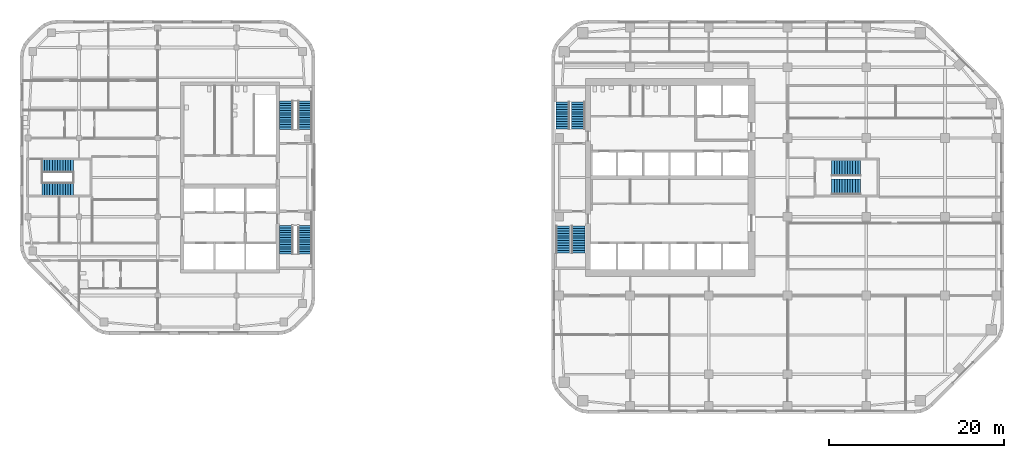
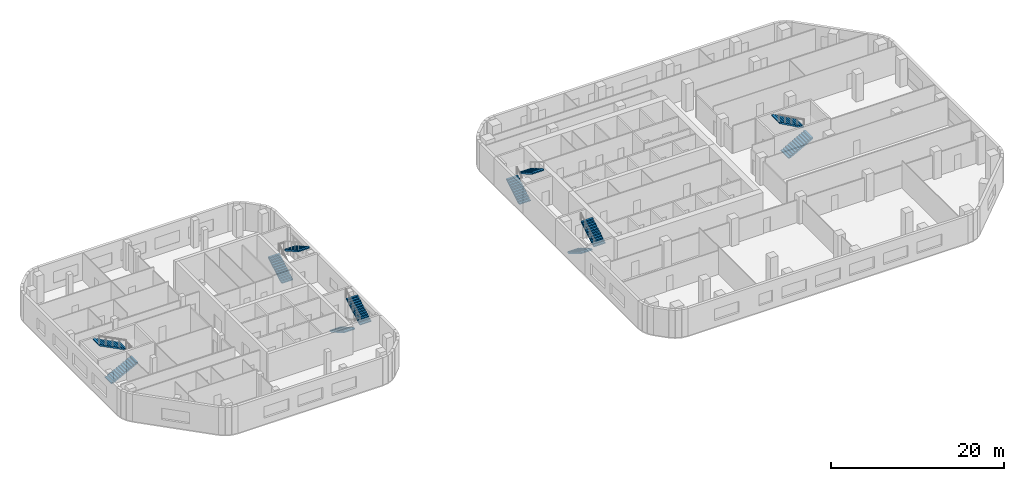
# One storey, part 11 of 14: 12 stair flights, 6 elements without a shape of their own.
"""IFC4 building model written with IfcOpenShell, lengths in metres."""

from ifc_helpers import new_model, si_unit, direction, frame, origin, place, context, subcontext, project, spatial, polyline, outline, extrude, material, type_object, element, aggregate, save


model = new_model("IFC4")

# Units and contexts
model_context = context("Model", 3, precision=1e-05, world=origin(), true_north=direction((0.0, 1.0)))
body_context = subcontext(model_context, "Body", "Model", "MODEL_VIEW")
ifc_project = project(units=[si_unit("LENGTHUNIT", "METRE"), si_unit("AREAUNIT", "SQUARE_METRE"), si_unit("VOLUMEUNIT", "CUBIC_METRE"), si_unit("PLANEANGLEUNIT", "RADIAN"), si_unit("MASSUNIT", "GRAM", prefix="KILO")], contexts=[model_context])

# Site, building, storey
site_placement = place(None, origin())
site = spatial("IfcSite", under=ifc_project, at=site_placement, CompositionType="ELEMENT")
building_placement = place(site_placement, origin())
building = spatial("IfcBuilding", under=site, at=building_placement, Name="Cinnabar Reach Civic Tower", CompositionType="ELEMENT")
storey_placement = place(building_placement, frame((0.0, 0.0, 108.0)))
storey = spatial("IfcBuildingStorey", under=building, at=storey_placement, Name="L25", CompositionType="ELEMENT", Elevation=108.0)

# Stair, stair flights
ifc_material_1 = material(Name="Concrete C40/50", Category="concrete")
stair_type_1 = type_object("IfcStairType", Name="T1 Exit stair, half-turn", PredefinedType="HALF_TURN_STAIR", material=ifc_material_1)
stair_1_placement = place(storey_placement, origin())
stair_1 = element("IfcStair", 1, at=stair_1_placement, inside=storey, type_object=stair_type_1, Name="Stair T1-S1", PredefinedType="HALF_TURN_STAIR")
stair_flight_type_1 = type_object("IfcStairFlightType", Name="T1 Stair flight, concrete", PredefinedType="STRAIGHT", material=ifc_material_1)
stair_flight_1_placement = place(storey_placement, frame((1.3125, 25.95, 0.0), z_axis=(0.0, 0.0, 1.0), x_axis=(0.0, -1.0, 0.0)))
stair_flight_1 = element("IfcStairFlight", 2, at=stair_flight_1_placement, type_object=stair_flight_type_1, Name="T1-S1 flight 1", NumberOfRisers=12, NumberOfTreads=11, PredefinedType="STRAIGHT", RiserHeight=0.166666667, TreadLength=0.28, context=body_context, shape_type="SweptSolid", body=[
    extrude(outline(polyline([(0.0, 0.0), (0.0, 0.1667), (0.28, 0.1667), (0.28, 0.3333), (0.56, 0.3333), (0.56, 0.5), (0.84, 0.5), (0.84, 0.6667), (1.12, 0.6667), (1.12, 0.8333), (1.4, 0.8333), (1.4, 1.0), (1.68, 1.0), (1.68, 1.1667), (1.96, 1.1667), (1.96, 1.3333), (2.24, 1.3333), (2.24, 1.5), (2.52, 1.5), (2.52, 1.6667), (2.8, 1.6667), (2.8, 1.8333), (3.08, 1.8333), (3.08, 2.0), (3.08, 1.6588), (0.2933, 0.0), (0.0, 0.0)])), frame((0.0, 0.7625, 0.0), z_axis=(0.0, -1.0, 0.0), x_axis=(1.0, 0.0, 0.0)), (0.0, 0.0, 1.0), 1.525),
])
stair_flight_2_placement = place(storey_placement, frame((3.0875, 22.87, 2.0), z_axis=(0.0, 0.0, 1.0), x_axis=(0.0, 1.0, 0.0)))
stair_flight_2 = element("IfcStairFlight", 3, at=stair_flight_2_placement, type_object=stair_flight_type_1, Name="T1-S1 flight 2", NumberOfRisers=12, NumberOfTreads=11, PredefinedType="STRAIGHT", RiserHeight=0.166666667, TreadLength=0.28, context=body_context, shape_type="SweptSolid", body=[
    extrude(outline(polyline([(0.0, 0.0), (0.0, 0.1667), (0.28, 0.1667), (0.28, 0.3333), (0.56, 0.3333), (0.56, 0.5), (0.84, 0.5), (0.84, 0.6667), (1.12, 0.6667), (1.12, 0.8333), (1.4, 0.8333), (1.4, 1.0), (1.68, 1.0), (1.68, 1.1667), (1.96, 1.1667), (1.96, 1.3333), (2.24, 1.3333), (2.24, 1.5), (2.52, 1.5), (2.52, 1.6667), (2.8, 1.6667), (2.8, 1.8333), (3.08, 1.8333), (3.08, 2.0), (3.08, 1.6588), (0.2933, 0.0), (0.0, 0.0)])), frame((0.0, 0.7625, 0.0), z_axis=(0.0, -1.0, 0.0), x_axis=(1.0, 0.0, 0.0)), (0.0, 0.0, 1.0), 1.525),
])
aggregate(stair_1, [stair_flight_1, stair_flight_2])

stair_2_placement = place(storey_placement, origin())
stair_2 = element("IfcStair", 4, at=stair_2_placement, inside=storey, type_object=stair_type_1, Name="Stair T1-S2", PredefinedType="HALF_TURN_STAIR")
stair_flight_3_placement = place(storey_placement, frame((1.3125, 37.05, 0.0), z_axis=(0.0, 0.0, 1.0), x_axis=(0.0, 1.0, 0.0)))
stair_flight_3 = element("IfcStairFlight", 5, at=stair_flight_3_placement, type_object=stair_flight_type_1, Name="T1-S2 flight 1", NumberOfRisers=12, NumberOfTreads=11, PredefinedType="STRAIGHT", RiserHeight=0.166666667, TreadLength=0.28, context=body_context, shape_type="SweptSolid", body=[
    extrude(outline(polyline([(0.0, 0.0), (0.0, 0.1667), (0.28, 0.1667), (0.28, 0.3333), (0.56, 0.3333), (0.56, 0.5), (0.84, 0.5), (0.84, 0.6667), (1.12, 0.6667), (1.12, 0.8333), (1.4, 0.8333), (1.4, 1.0), (1.68, 1.0), (1.68, 1.1667), (1.96, 1.1667), (1.96, 1.3333), (2.24, 1.3333), (2.24, 1.5), (2.52, 1.5), (2.52, 1.6667), (2.8, 1.6667), (2.8, 1.8333), (3.08, 1.8333), (3.08, 2.0), (3.08, 1.6588), (0.2933, 0.0), (0.0, 0.0)])), frame((0.0, 0.7625, 0.0), z_axis=(0.0, -1.0, 0.0), x_axis=(1.0, 0.0, 0.0)), (0.0, 0.0, 1.0), 1.525),
])
stair_flight_4_placement = place(storey_placement, frame((3.0875, 40.13, 2.0), z_axis=(0.0, 0.0, 1.0), x_axis=(0.0, -1.0, 0.0)))
stair_flight_4 = element("IfcStairFlight", 6, at=stair_flight_4_placement, type_object=stair_flight_type_1, Name="T1-S2 flight 2", NumberOfRisers=12, NumberOfTreads=11, PredefinedType="STRAIGHT", RiserHeight=0.166666667, TreadLength=0.28, context=body_context, shape_type="SweptSolid", body=[
    extrude(outline(polyline([(0.0, 0.0), (0.0, 0.1667), (0.28, 0.1667), (0.28, 0.3333), (0.56, 0.3333), (0.56, 0.5), (0.84, 0.5), (0.84, 0.6667), (1.12, 0.6667), (1.12, 0.8333), (1.4, 0.8333), (1.4, 1.0), (1.68, 1.0), (1.68, 1.1667), (1.96, 1.1667), (1.96, 1.3333), (2.24, 1.3333), (2.24, 1.5), (2.52, 1.5), (2.52, 1.6667), (2.8, 1.6667), (2.8, 1.8333), (3.08, 1.8333), (3.08, 2.0), (3.08, 1.6588), (0.2933, 0.0), (0.0, 0.0)])), frame((0.0, 0.7625, 0.0), z_axis=(0.0, -1.0, 0.0), x_axis=(1.0, 0.0, 0.0)), (0.0, 0.0, 1.0), 1.525),
])
aggregate(stair_2, [stair_flight_3, stair_flight_4])

stair_3_placement = place(storey_placement, origin())
stair_3 = element("IfcStair", 7, at=stair_3_placement, inside=storey, type_object=stair_type_1, Name="Stair T1-S3", PredefinedType="HALF_TURN_STAIR")
stair_flight_5_placement = place(storey_placement, frame((32.05, 30.45, 0.0), z_axis=(0.0, 0.0, 1.0), x_axis=(1.0, 0.0, 0.0)))
stair_flight_5 = element("IfcStairFlight", 8, at=stair_flight_5_placement, type_object=stair_flight_type_1, Name="T1-S3 flight 1", NumberOfRisers=12, NumberOfTreads=11, PredefinedType="STRAIGHT", RiserHeight=0.166666667, TreadLength=0.3, context=body_context, shape_type="SweptSolid", body=[
    extrude(outline(polyline([(0.0, 0.0), (0.0, 0.1667), (0.3, 0.1667), (0.3, 0.3333), (0.6, 0.3333), (0.6, 0.5), (0.9, 0.5), (0.9, 0.6667), (1.2, 0.6667), (1.2, 0.8333), (1.5, 0.8333), (1.5, 1.0), (1.8, 1.0), (1.8, 1.1667), (2.1, 1.1667), (2.1, 1.3333), (2.4, 1.3333), (2.4, 1.5), (2.7, 1.5), (2.7, 1.6667), (3.0, 1.6667), (3.0, 1.8333), (3.3, 1.8333), (3.3, 2.0), (3.3, 1.6617), (0.3089, 0.0), (0.0, 0.0)])), frame((0.0, 0.9, 0.0), z_axis=(0.0, -1.0, 0.0), x_axis=(1.0, 0.0, 0.0)), (0.0, 0.0, 1.0), 1.8),
])
stair_flight_6_placement = place(storey_placement, frame((35.35, 32.55, 2.0), z_axis=(0.0, 0.0, 1.0), x_axis=(-1.0, 0.0, 0.0)))
stair_flight_6 = element("IfcStairFlight", 9, at=stair_flight_6_placement, type_object=stair_flight_type_1, Name="T1-S3 flight 2", NumberOfRisers=12, NumberOfTreads=11, PredefinedType="STRAIGHT", RiserHeight=0.166666667, TreadLength=0.3, context=body_context, shape_type="SweptSolid", body=[
    extrude(outline(polyline([(0.0, 0.0), (0.0, 0.1667), (0.3, 0.1667), (0.3, 0.3333), (0.6, 0.3333), (0.6, 0.5), (0.9, 0.5), (0.9, 0.6667), (1.2, 0.6667), (1.2, 0.8333), (1.5, 0.8333), (1.5, 1.0), (1.8, 1.0), (1.8, 1.1667), (2.1, 1.1667), (2.1, 1.3333), (2.4, 1.3333), (2.4, 1.5), (2.7, 1.5), (2.7, 1.6667), (3.0, 1.6667), (3.0, 1.8333), (3.3, 1.8333), (3.3, 2.0), (3.3, 1.6617), (0.3089, 0.0), (0.0, 0.0)])), frame((0.0, 0.9, 0.0), z_axis=(0.0, -1.0, 0.0), x_axis=(1.0, 0.0, 0.0)), (0.0, 0.0, 1.0), 1.8),
])
aggregate(stair_3, [stair_flight_5, stair_flight_6])

ifc_material_2 = material(Name="Concrete C40", Category="concrete")
stair_type_2 = type_object("IfcStairType", Name="T2 Exit stair 1500", PredefinedType="HALF_TURN_STAIR", material=ifc_material_2)
stair_4_placement = place(storey_placement, origin())
stair_4 = element("IfcStair", 10, at=stair_4_placement, inside=storey, type_object=stair_type_2, Name="Exit stair 1", PredefinedType="HALF_TURN_STAIR")
stair_flight_type_2 = type_object("IfcStairFlightType", Name="T2 Stair flight 1500", PredefinedType="STRAIGHT", material=ifc_material_2)
stair_flight_7_placement = place(storey_placement, frame((-30.35, 26.0, 0.0), z_axis=(0.0, 0.0, 1.0), x_axis=(0.0, -1.0, 0.0)))
stair_flight_7 = element("IfcStairFlight", 11, at=stair_flight_7_placement, type_object=stair_flight_type_2, Name="ST1 flight 1", NumberOfRisers=13, NumberOfTreads=12, PredefinedType="STRAIGHT", RiserHeight=0.153846154, TreadLength=0.270833333, context=body_context, shape_type="SweptSolid", body=[
    extrude(outline(polyline([(0.0, 0.0), (0.0, 0.1538), (0.2708, 0.1538), (0.2708, 0.3077), (0.5417, 0.3077), (0.5417, 0.4615), (0.8125, 0.4615), (0.8125, 0.6154), (1.0833, 0.6154), (1.0833, 0.7692), (1.3542, 0.7692), (1.3542, 0.9231), (1.625, 0.9231), (1.625, 1.0769), (1.8958, 1.0769), (1.8958, 1.2308), (2.1667, 1.2308), (2.1667, 1.3846), (2.4375, 1.3846), (2.4375, 1.5385), (2.7083, 1.5385), (2.7083, 1.6923), (2.9792, 1.6923), (2.9792, 1.8462), (3.25, 1.8462), (3.25, 2.0), (3.25, 1.6736), (0.3037, 0.0), (0.0, 0.0)])), frame((0.0, 0.75, 0.0), z_axis=(0.0, -1.0, 0.0), x_axis=(1.0, 0.0, 0.0)), (0.0, 0.0, 1.0), 1.5),
])
stair_flight_8_placement = place(storey_placement, frame((-28.15, 22.75, 2.0), z_axis=(0.0, 0.0, 1.0), x_axis=(0.0, 1.0, 0.0)))
stair_flight_8 = element("IfcStairFlight", 12, at=stair_flight_8_placement, type_object=stair_flight_type_2, Name="ST1 flight 2", NumberOfRisers=13, NumberOfTreads=12, PredefinedType="STRAIGHT", RiserHeight=0.153846154, TreadLength=0.270833333, context=body_context, shape_type="SweptSolid", body=[
    extrude(outline(polyline([(0.0, 0.0), (0.0, 0.1538), (0.2708, 0.1538), (0.2708, 0.3077), (0.5417, 0.3077), (0.5417, 0.4615), (0.8125, 0.4615), (0.8125, 0.6154), (1.0833, 0.6154), (1.0833, 0.7692), (1.3542, 0.7692), (1.3542, 0.9231), (1.625, 0.9231), (1.625, 1.0769), (1.8958, 1.0769), (1.8958, 1.2308), (2.1667, 1.2308), (2.1667, 1.3846), (2.4375, 1.3846), (2.4375, 1.5385), (2.7083, 1.5385), (2.7083, 1.6923), (2.9792, 1.6923), (2.9792, 1.8462), (3.25, 1.8462), (3.25, 2.0), (3.25, 1.6736), (0.3037, 0.0), (0.0, 0.0)])), frame((0.0, 0.75, 0.0), z_axis=(0.0, -1.0, 0.0), x_axis=(1.0, 0.0, 0.0)), (0.0, 0.0, 1.0), 1.5),
])
aggregate(stair_4, [stair_flight_7, stair_flight_8])

stair_5_placement = place(storey_placement, origin())
stair_5 = element("IfcStair", 13, at=stair_5_placement, inside=storey, type_object=stair_type_2, Name="Exit stair 2", PredefinedType="HALF_TURN_STAIR")
stair_flight_9_placement = place(storey_placement, frame((-30.35, 37.0, 0.0), z_axis=(0.0, 0.0, 1.0), x_axis=(0.0, 1.0, 0.0)))
stair_flight_9 = element("IfcStairFlight", 14, at=stair_flight_9_placement, type_object=stair_flight_type_2, Name="ST2 flight 1", NumberOfRisers=13, NumberOfTreads=12, PredefinedType="STRAIGHT", RiserHeight=0.153846154, TreadLength=0.270833333, context=body_context, shape_type="SweptSolid", body=[
    extrude(outline(polyline([(0.0, 0.0), (0.0, 0.1538), (0.2708, 0.1538), (0.2708, 0.3077), (0.5417, 0.3077), (0.5417, 0.4615), (0.8125, 0.4615), (0.8125, 0.6154), (1.0833, 0.6154), (1.0833, 0.7692), (1.3542, 0.7692), (1.3542, 0.9231), (1.625, 0.9231), (1.625, 1.0769), (1.8958, 1.0769), (1.8958, 1.2308), (2.1667, 1.2308), (2.1667, 1.3846), (2.4375, 1.3846), (2.4375, 1.5385), (2.7083, 1.5385), (2.7083, 1.6923), (2.9792, 1.6923), (2.9792, 1.8462), (3.25, 1.8462), (3.25, 2.0), (3.25, 1.6736), (0.3037, 0.0), (0.0, 0.0)])), frame((0.0, 0.75, 0.0), z_axis=(0.0, -1.0, 0.0), x_axis=(1.0, 0.0, 0.0)), (0.0, 0.0, 1.0), 1.5),
])
stair_flight_10_placement = place(storey_placement, frame((-28.15, 40.25, 2.0), z_axis=(0.0, 0.0, 1.0), x_axis=(0.0, -1.0, 0.0)))
stair_flight_10 = element("IfcStairFlight", 15, at=stair_flight_10_placement, type_object=stair_flight_type_2, Name="ST2 flight 2", NumberOfRisers=13, NumberOfTreads=12, PredefinedType="STRAIGHT", RiserHeight=0.153846154, TreadLength=0.270833333, context=body_context, shape_type="SweptSolid", body=[
    extrude(outline(polyline([(0.0, 0.0), (0.0, 0.1538), (0.2708, 0.1538), (0.2708, 0.3077), (0.5417, 0.3077), (0.5417, 0.4615), (0.8125, 0.4615), (0.8125, 0.6154), (1.0833, 0.6154), (1.0833, 0.7692), (1.3542, 0.7692), (1.3542, 0.9231), (1.625, 0.9231), (1.625, 1.0769), (1.8958, 1.0769), (1.8958, 1.2308), (2.1667, 1.2308), (2.1667, 1.3846), (2.4375, 1.3846), (2.4375, 1.5385), (2.7083, 1.5385), (2.7083, 1.6923), (2.9792, 1.6923), (2.9792, 1.8462), (3.25, 1.8462), (3.25, 2.0), (3.25, 1.6736), (0.3037, 0.0), (0.0, 0.0)])), frame((0.0, 0.75, 0.0), z_axis=(0.0, -1.0, 0.0), x_axis=(1.0, 0.0, 0.0)), (0.0, 0.0, 1.0), 1.5),
])
aggregate(stair_5, [stair_flight_9, stair_flight_10])

stair_6_placement = place(storey_placement, origin())
stair_6 = element("IfcStair", 16, at=stair_6_placement, inside=storey, type_object=stair_type_2, Name="Exit stair 3", PredefinedType="HALF_TURN_STAIR")
stair_flight_11_placement = place(storey_placement, frame((-58.25, 30.125, 0.0), z_axis=(0.0, 0.0, 1.0), x_axis=(1.0, 0.0, 0.0)))
stair_flight_11 = element("IfcStairFlight", 17, at=stair_flight_11_placement, type_object=stair_flight_type_2, Name="ST3 flight 1", NumberOfRisers=13, NumberOfTreads=12, PredefinedType="STRAIGHT", RiserHeight=0.153846154, TreadLength=0.3, context=body_context, shape_type="SweptSolid", body=[
    extrude(outline(polyline([(0.0, 0.0), (0.0, 0.1538), (0.3, 0.1538), (0.3, 0.3077), (0.6, 0.3077), (0.6, 0.4615), (0.9, 0.4615), (0.9, 0.6154), (1.2, 0.6154), (1.2, 0.7692), (1.5, 0.7692), (1.5, 0.9231), (1.8, 0.9231), (1.8, 1.0769), (2.1, 1.0769), (2.1, 1.2308), (2.4, 1.2308), (2.4, 1.3846), (2.7, 1.3846), (2.7, 1.5385), (3.0, 1.5385), (3.0, 1.6923), (3.3, 1.6923), (3.3, 1.8462), (3.6, 1.8462), (3.6, 2.0), (3.6, 1.6776), (0.3287, 0.0), (0.0, 0.0)])), frame((0.0, 0.75, 0.0), z_axis=(0.0, -1.0, 0.0), x_axis=(1.0, 0.0, 0.0)), (0.0, 0.0, 1.0), 1.5),
])
stair_flight_12_placement = place(storey_placement, frame((-54.65, 32.875, 2.0), z_axis=(0.0, 0.0, 1.0), x_axis=(-1.0, 0.0, 0.0)))
stair_flight_12 = element("IfcStairFlight", 18, at=stair_flight_12_placement, type_object=stair_flight_type_2, Name="ST3 flight 2", NumberOfRisers=13, NumberOfTreads=12, PredefinedType="STRAIGHT", RiserHeight=0.153846154, TreadLength=0.3, context=body_context, shape_type="SweptSolid", body=[
    extrude(outline(polyline([(0.0, 0.0), (0.0, 0.1538), (0.3, 0.1538), (0.3, 0.3077), (0.6, 0.3077), (0.6, 0.4615), (0.9, 0.4615), (0.9, 0.6154), (1.2, 0.6154), (1.2, 0.7692), (1.5, 0.7692), (1.5, 0.9231), (1.8, 0.9231), (1.8, 1.0769), (2.1, 1.0769), (2.1, 1.2308), (2.4, 1.2308), (2.4, 1.3846), (2.7, 1.3846), (2.7, 1.5385), (3.0, 1.5385), (3.0, 1.6923), (3.3, 1.6923), (3.3, 1.8462), (3.6, 1.8462), (3.6, 2.0), (3.6, 1.6776), (0.3287, 0.0), (0.0, 0.0)])), frame((0.0, 0.75, 0.0), z_axis=(0.0, -1.0, 0.0), x_axis=(1.0, 0.0, 0.0)), (0.0, 0.0, 1.0), 1.5),
])
aggregate(stair_6, [stair_flight_11, stair_flight_12])

save(model, "model.ifc")
